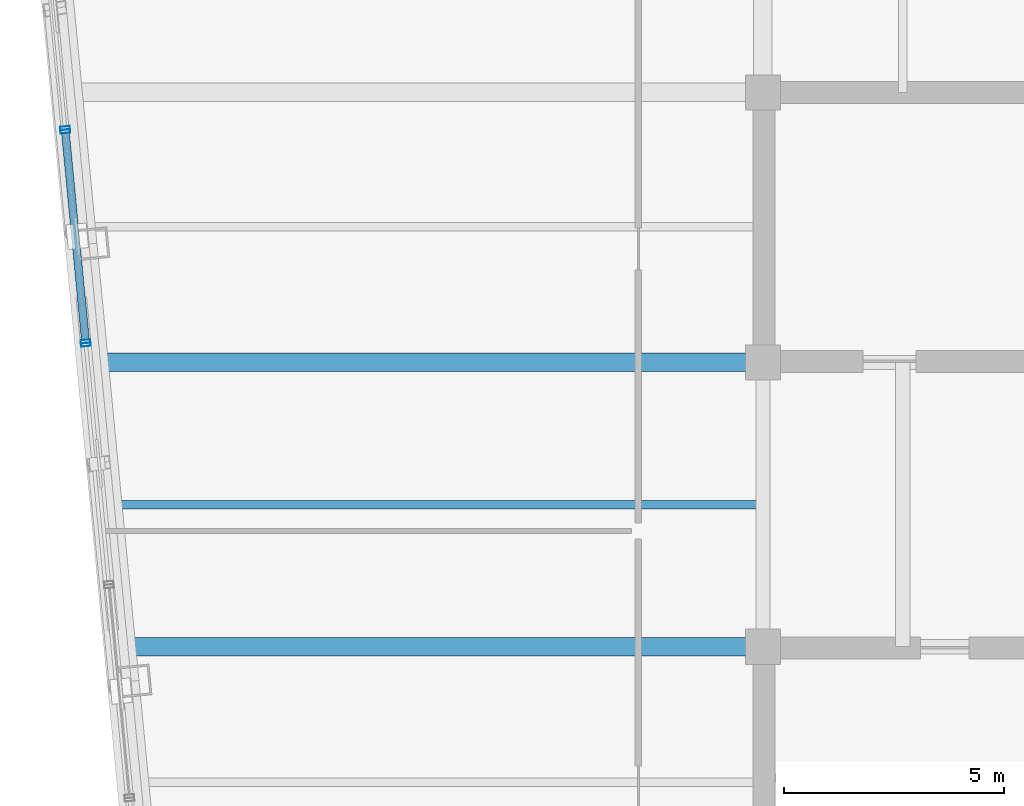
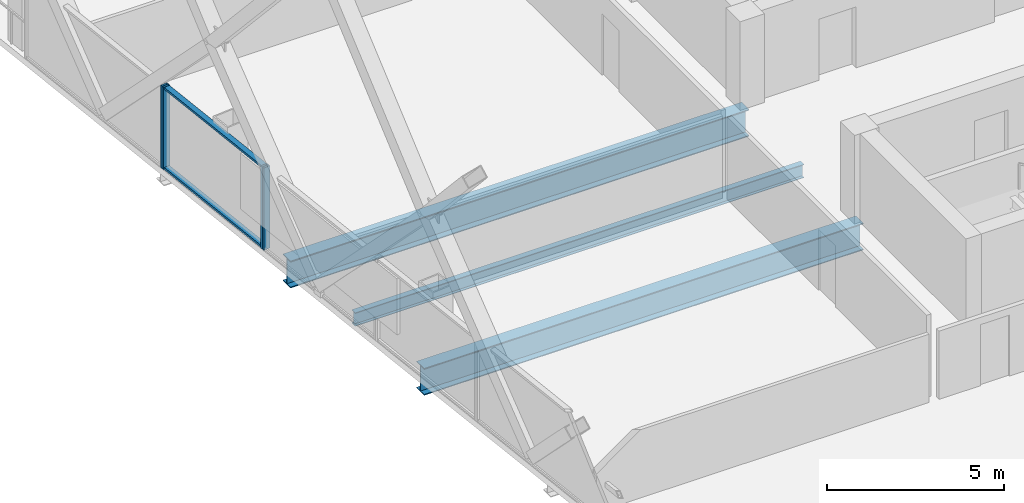
# One storey, part 11 of 34: 6 members, 3 beams, 3 elements without a shape of their own.
"""IFC4 building model written with IfcOpenShell, lengths in metres."""

from ifc_helpers import new_model, si_unit, direction, frame, origin, origin_2d, place, context, subcontext, project, spatial, hollow_rectangle, i_section, extrude, material, layer, layer_set, material_profile, profile_set, type_object, element, aggregate, save


model = new_model("IFC4")

# Units and contexts
model_context = context("Model", 3, precision=1e-05, world=origin(), true_north=direction((0.0, 1.0)))
body_context = subcontext(model_context, "Body", "Model", "MODEL_VIEW")
ifc_project = project(units=[si_unit("LENGTHUNIT", "METRE"), si_unit("AREAUNIT", "SQUARE_METRE"), si_unit("VOLUMEUNIT", "CUBIC_METRE"), si_unit("PLANEANGLEUNIT", "RADIAN"), si_unit("MASSUNIT", "GRAM", prefix="KILO")], contexts=[model_context])

# Site, building, storey
site_placement = place(None, origin())
site = spatial("IfcSite", under=ifc_project, at=site_placement, CompositionType="ELEMENT")
building_placement = place(site_placement, origin())
building = spatial("IfcBuilding", under=site, at=building_placement, Name="Qhalaya Broadcast Tower", CompositionType="ELEMENT")
storey_placement = place(building_placement, frame((0.0, 0.0, 168.35009765625)))
storey = spatial("IfcBuildingStorey", under=building, at=storey_placement, Name="L49", CompositionType="ELEMENT", Elevation=168.35009765625)

# Beams
ifc_material_1 = material(Name="Structural Steel ASTM A992 Grade 50", Category="steel")
ifc_material_profile_1 = material_profile(ifc_material_1, i_section(OverallWidth=0.19189453125, OverallDepth=0.462890625, WebThickness=0.010498046875, FlangeThickness=0.017578125, at=origin_2d()), Name="W18X60")
ifc_profile_set_1 = profile_set([ifc_material_profile_1], Name="Structural Steel ASTM A992 Grade 50")
beam_type_1 = type_object("IfcBeamType", Name="Composite Floor Joist J03", PredefinedType="JOIST", material=ifc_profile_set_1)
beam_1_placement = place(storey_placement, frame((-23.982421875, 0.60009765625, -0.45166015625), z_axis=(1.0, 0.0, 0.0), x_axis=(0.0, 1.0, 0.0)))
element("IfcBeam", 1, at=beam_1_placement, inside=storey, type_object=beam_type_1, Name="L49 J03 L49-JWE4W-1", PredefinedType="JOIST", context=body_context, shape_type="SweptSolid", body=[
    extrude(i_section(OverallWidth=0.19189453125, OverallDepth=0.462890625, WebThickness=0.010498046875, FlangeThickness=0.017578125, at=origin_2d()), origin(), (0.0, 0.0, 1.0), 14.607421875),
])
ifc_material_profile_2 = material_profile(ifc_material_1, i_section(OverallWidth=0.4189453125, OverallDepth=0.927001953125, WebThickness=0.019287109375, FlangeThickness=0.031982421875, at=origin_2d()), Name="W36X231")
ifc_profile_set_2 = profile_set([ifc_material_profile_2], Name="Structural Steel ASTM A992 Grade 50")
beam_type_2 = type_object("IfcBeamType", Name="Mid Block Primary Girder PG3", PredefinedType="USERDEFINED", material=ifc_profile_set_2)
beam_2_placement = place(storey_placement, frame((-23.671875, -2.625, -0.68359375), z_axis=(1.0, 0.0, 0.0), x_axis=(0.0, 1.0, 0.0)))
element("IfcBeam", 2, at=beam_2_placement, inside=storey, type_object=beam_type_2, Name="L49 PG3 L49-PGYW2-1", ObjectType="GIRDER", PredefinedType="USERDEFINED", context=body_context, shape_type="SweptSolid", body=[
    extrude(i_section(OverallWidth=0.4189453125, OverallDepth=0.927001953125, WebThickness=0.019287109375, FlangeThickness=0.031982421875, at=origin_2d()), origin(), (0.0, 0.0, 1.0), 14.296875),
])
beam_3_placement = place(storey_placement, frame((-24.29296875, 3.824951171875, -0.68359375), z_axis=(1.0, 0.0, 0.0), x_axis=(0.0, 1.0, 0.0)))
element("IfcBeam", 3, at=beam_3_placement, inside=storey, type_object=beam_type_2, Name="L49 PG3 L49-PGYW3-1", ObjectType="GIRDER", PredefinedType="USERDEFINED", context=body_context, shape_type="SweptSolid", body=[
    extrude(i_section(OverallWidth=0.4189453125, OverallDepth=0.927001953125, WebThickness=0.019287109375, FlangeThickness=0.031982421875, at=origin_2d()), origin(), (0.0, 0.0, 1.0), 14.91796875),
])

# Curtain wall, member
ifc_material_2 = material(Name="Fired Architectural Terracotta", Category="masonry")
ifc_layer_1 = layer(ifc_material_2, 0.219970703125, Name="Fired Architectural Terracotta")
ifc_layer_set_1 = layer_set([ifc_layer_1], Name="Fired Architectural Terracotta")
curtain_wall_type_1 = type_object("IfcCurtainWallType", Name="Block-Cap Unitised Terracotta Spandrel Wall CW-07", PredefinedType="NOTDEFINED", material=ifc_layer_set_1)
curtain_wall_1_placement = place(storey_placement, origin())
curtain_wall_1 = element("IfcCurtainWall", 4, at=curtain_wall_1_placement, inside=storey, type_object=curtain_wall_type_1, Name="L49 Unitised Curtain Wall L49-CW-W1", PredefinedType="NOTDEFINED")
ifc_material_3 = material(Name="Anodised Aluminium 6063-T6", Category="aluminium")
ifc_material_profile_3 = material_profile(ifc_material_3, hollow_rectangle(XDim=0.074951171875, YDim=0.219970703125, WallThickness=0.00390625, at=origin_2d()), Name="ALU-MUL 75x220x4")
ifc_profile_set_3 = profile_set([ifc_material_profile_3], Name="Anodised Aluminium 6063-T6")
member_type_1 = type_object("IfcMemberType", Name="Unitised Curtain-Wall Mullion M01", PredefinedType="MULLION", material=ifc_profile_set_3)
member_1_placement = place(storey_placement, frame((-25.20654296875, 9.140625, 0.0), z_axis=(0.0, 0.0, 1.0), x_axis=(0.095842362816, -0.995396524753, 0.0)))
member_1 = element("IfcMember", 5, at=member_1_placement, type_object=member_type_1, Name="CW-07 mullion 2", PredefinedType="MULLION", context=body_context, shape_type="SweptSolid", body=[
    extrude(hollow_rectangle(XDim=0.074951171875, YDim=0.219970703125, WallThickness=0.00390625, at=origin_2d()), origin(), (0.0, 0.0, 1.0), 2.829833984375),
])
aggregate(curtain_wall_1, [member_1])

# Curtain wall, members
ifc_material_4 = material(Name="Solar-Control Low-E Triple Glazing", Category="glass")
ifc_layer_2 = layer(ifc_material_4, 0.219970703125, Name="Solar-Control Low-E Triple Glazing")
ifc_layer_set_2 = layer_set([ifc_layer_2], Name="Solar-Control Low-E Triple Glazing")
curtain_wall_type_2 = type_object("IfcCurtainWallType", Name="Even-Block 4-Storey Double-Module Curtain Wall CW-03", PredefinedType="NOTDEFINED", material=ifc_layer_set_2)
curtain_wall_2_placement = place(storey_placement, origin())
curtain_wall_2 = element("IfcCurtainWall", 6, at=curtain_wall_2_placement, inside=storey, type_object=curtain_wall_type_2, Name="L49 Unitised Curtain Wall L49-CW-W2", PredefinedType="NOTDEFINED")
member_2_placement = place(storey_placement, frame((-25.199462890625, 9.06591796875, 0.0), z_axis=(0.0, 0.0, 1.0), x_axis=(0.095844898762, -0.995396280574, 0.0)))
member_2 = element("IfcMember", 7, at=member_2_placement, type_object=member_type_1, Name="CW-03 mullion 1", PredefinedType="MULLION", context=body_context, shape_type="SweptSolid", body=[
    extrude(hollow_rectangle(XDim=0.074951171875, YDim=0.219970703125, WallThickness=0.00390625, at=origin_2d()), origin(), (0.0, 0.0, 1.0), 2.829833984375),
])
member_3_placement = place(storey_placement, frame((-24.74072265625, 4.302001953125, 0.0), z_axis=(0.0, 0.0, 1.0), x_axis=(0.095844898762, -0.995396280574, 0.0)))
member_3 = element("IfcMember", 8, at=member_3_placement, type_object=member_type_1, Name="CW-03 mullion 2", PredefinedType="MULLION", context=body_context, shape_type="SweptSolid", body=[
    extrude(hollow_rectangle(XDim=0.074951171875, YDim=0.219970703125, WallThickness=0.00390625, at=origin_2d()), origin(), (0.0, 0.0, 1.0), 2.829833984375),
])

# Curtain wall, member
curtain_wall_3_placement = place(storey_placement, origin())
curtain_wall_3 = element("IfcCurtainWall", 9, at=curtain_wall_3_placement, inside=storey, type_object=curtain_wall_type_1, Name="L49 Unitised Curtain Wall L49-CW-W3", PredefinedType="NOTDEFINED")
member_4_placement = place(storey_placement, frame((-24.7333984375, 4.227294921875, 0.0), z_axis=(0.0, 0.0, 1.0), x_axis=(0.095858099514, -0.99539500941, 0.0)))
member_4 = element("IfcMember", 10, at=member_4_placement, type_object=member_type_1, Name="CW-07 mullion 1", PredefinedType="MULLION", context=body_context, shape_type="SweptSolid", body=[
    extrude(hollow_rectangle(XDim=0.074951171875, YDim=0.219970703125, WallThickness=0.00390625, at=origin_2d()), origin(), (0.0, 0.0, 1.0), 2.829833984375),
])
aggregate(curtain_wall_3, [member_4])

# Member
ifc_material_profile_4 = material_profile(ifc_material_3, hollow_rectangle(XDim=0.074951171875, YDim=0.179931640625, WallThickness=0.00390625, at=origin_2d()), Name="ALU-TRN 75x180x4")
ifc_profile_set_4 = profile_set([ifc_material_profile_4], Name="Anodised Aluminium 6063-T6")
member_type_2 = type_object("IfcMemberType", Name="Unitised Curtain-Wall Transom T01", PredefinedType="USERDEFINED", material=ifc_profile_set_4)
member_5_placement = place(storey_placement, frame((-25.19580078125, 9.028564453125, 0.037353515625), z_axis=(0.095823993558, -0.995398293277, 0.0), x_axis=(0.0, 0.0, 1.0)))
member_5 = element("IfcMember", 11, at=member_5_placement, type_object=member_type_2, Name="CW-03 transom 1.1", ObjectType="TRANSOM", PredefinedType="USERDEFINED", context=body_context, shape_type="SweptSolid", body=[
    extrude(hollow_rectangle(XDim=0.074951171875, YDim=0.179931640625, WallThickness=0.00390625, at=origin_2d()), origin(), (0.0, 0.0, 1.0), 4.7109375),
])

member_6_placement = place(storey_placement, frame((-25.19580078125, 9.028564453125, 2.79248046875), z_axis=(0.095823993558, -0.995398293277, 0.0), x_axis=(0.0, 0.0, 1.0)))
member_6 = element("IfcMember", 12, at=member_6_placement, type_object=member_type_2, Name="CW-03 transom 1.2", ObjectType="TRANSOM", PredefinedType="USERDEFINED", context=body_context, shape_type="SweptSolid", body=[
    extrude(hollow_rectangle(XDim=0.074951171875, YDim=0.179931640625, WallThickness=0.00390625, at=origin_2d()), origin(), (0.0, 0.0, 1.0), 4.7109375),
])

aggregate(curtain_wall_2, [member_2, member_3, member_5, member_6])

save(model, "model.ifc")
